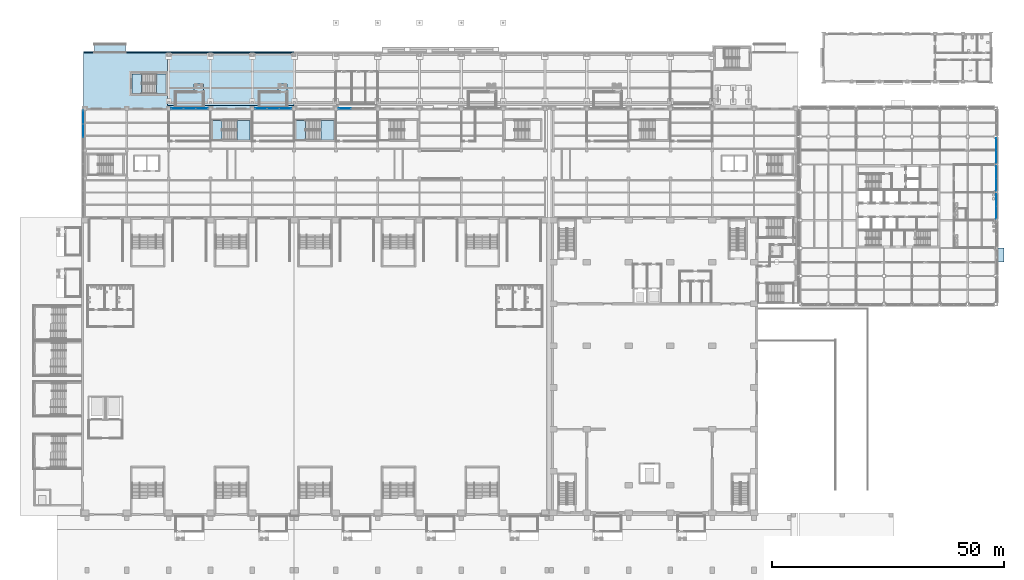
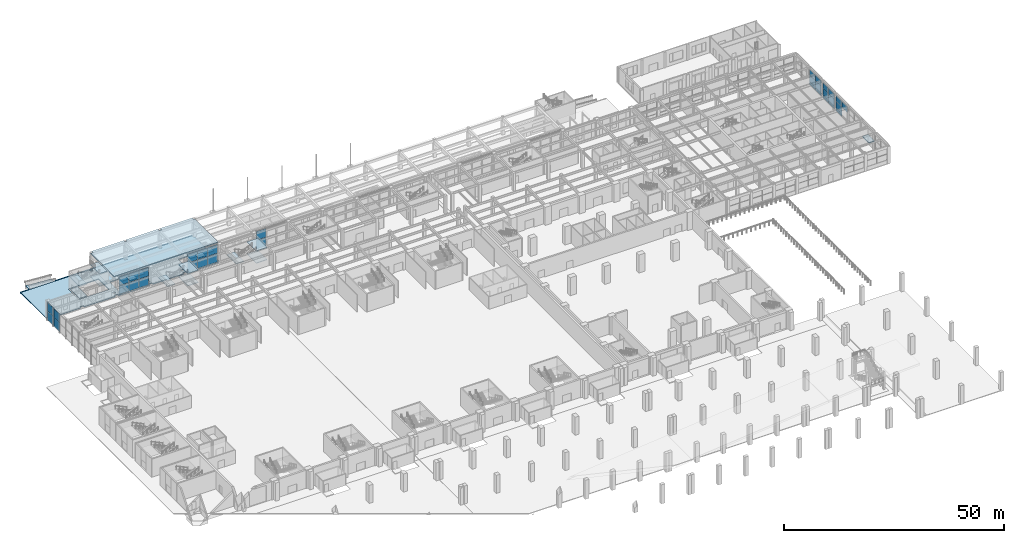
# One storey, part 34 of 77: 34 plates, 20 slabs, 10 elements without a shape of their own.
"""IFC4 building model written with IfcOpenShell, lengths in metres."""

from ifc_helpers import new_model, si_unit, direction, frame, origin, origin_2d, place, context, subcontext, project, spatial, polyline, rectangle, outline, extrude, material, layer, layer_set, type_object, element, aggregate, save


model = new_model("IFC4")

# Units and contexts
model_context = context("Model", 3, precision=1e-05, world=origin(), true_north=direction((0.0, 1.0)))
body_context = subcontext(model_context, "Body", "Model", "MODEL_VIEW")
ifc_project = project(units=[si_unit("LENGTHUNIT", "METRE"), si_unit("AREAUNIT", "SQUARE_METRE"), si_unit("VOLUMEUNIT", "CUBIC_METRE"), si_unit("PLANEANGLEUNIT", "RADIAN"), si_unit("MASSUNIT", "GRAM", prefix="KILO")], contexts=[model_context])

# Site, building, storey
site_placement = place(None, origin())
site = spatial("IfcSite", under=ifc_project, at=site_placement, CompositionType="ELEMENT")
building_placement = place(site_placement, origin())
building = spatial("IfcBuilding", under=site, at=building_placement, Name="Aravalli Gate Trade Fair Centre", CompositionType="ELEMENT")
storey_placement = place(building_placement, origin())
storey = spatial("IfcBuildingStorey", under=building, at=storey_placement, Name="L00", CompositionType="ELEMENT", Elevation=0.0)

# Slabs
ifc_material_1 = material(Name="Concrete M40", Category="concrete")
ifc_layer_1 = layer(ifc_material_1, 0.25)
ifc_layer_set_1 = layer_set([ifc_layer_1], Name="Concrete M40")
slab_type_1 = type_object("IfcSlabType", Name="Arcade terrace slab 250", PredefinedType="FLOOR", material=ifc_layer_set_1)
slab_1_placement = place(storey_placement, frame((0.0, 0.0, 4.75)))
element("IfcSlab", 1, at=slab_1_placement, inside=storey, type_object=slab_type_1, Name="Arcade terrace slab, part 1 of 2", PredefinedType="FLOOR", context=body_context, shape_type="SweptSolid", body=[
    extrude(outline(polyline([(23.699951171875, 133.699951171875), (50.97998046875, 133.699951171875), (50.97998046875, 144.35009765625), (50.699951171875, 144.35009765625), (50.699951171875, 144.949951171875), (42.300048828125, 144.949951171875), (42.300048828125, 144.35009765625), (41.699951171875, 144.35009765625), (41.699951171875, 144.949951171875), (33.300048828125, 144.949951171875), (33.300048828125, 144.35009765625), (32.699951171875, 144.35009765625), (32.699951171875, 144.949951171875), (24.300048828125, 144.949951171875), (24.300048828125, 144.35009765625), (23.699951171875, 144.35009765625), (23.699951171875, 133.699951171875)])), origin(), (0.0, 0.0, 1.0), 0.25),
])
ifc_material_2 = material(Name="Concrete M30", Category="concrete")
ifc_layer_2 = layer(ifc_material_2, 0.199951171875)
ifc_layer_set_2 = layer_set([ifc_layer_2], Name="Concrete M30")
slab_type_2 = type_object("IfcSlabType", Name="Basement exit apron 200", PredefinedType="USERDEFINED", material=ifc_layer_set_2)
slab_2_placement = place(storey_placement, frame((0.0, 0.0, -0.199951171875)))
element("IfcSlab", 2, at=slab_2_placement, inside=storey, type_object=slab_type_2, Name="Basement stair N1 exit apron", ObjectType="PAVING", PredefinedType="USERDEFINED", context=body_context, shape_type="SweptSolid", body=[
    extrude(outline(polyline([(31.449951171875, 136.679931640625), (29.5, 136.679931640625), (29.5, 138.280029296875), (31.449951171875, 138.280029296875), (31.449951171875, 136.679931640625)])), origin(), (0.0, 0.0, 1.0), 0.199951171875),
])
slab_3_placement = place(storey_placement, frame((0.0, 0.0, -0.199951171875)))
element("IfcSlab", 3, at=slab_3_placement, inside=storey, type_object=slab_type_2, Name="Basement stair N2 exit apron", ObjectType="PAVING", PredefinedType="USERDEFINED", context=body_context, shape_type="SweptSolid", body=[
    extrude(outline(polyline([(49.449951171875, 136.679931640625), (47.5, 136.679931640625), (47.5, 138.280029296875), (49.449951171875, 138.280029296875), (49.449951171875, 136.679931640625)])), origin(), (0.0, 0.0, 1.0), 0.199951171875),
])
ifc_material_3 = material(Name="Concrete M35", Category="concrete")
ifc_layer_3 = layer(ifc_material_3, 0.199951171875)
ifc_layer_set_3 = layer_set([ifc_layer_3], Name="Concrete M35")
slab_type_3 = type_object("IfcSlabType", Name="Basement stair head roof 200", PredefinedType="ROOF", material=ifc_layer_set_3)
slab_4_placement = place(storey_placement, frame((0.0, 0.0, 3.199951171875)))
element("IfcSlab", 4, at=slab_4_placement, inside=storey, type_object=slab_type_3, Name="Basement stair N1 head roof", PredefinedType="ROOF", context=body_context, shape_type="SweptSolid", body=[
    extrude(outline(polyline([(31.550048828125, 133.179931640625), (25.449951171875, 133.179931640625), (25.449951171875, 136.679931640625), (31.550048828125, 136.679931640625), (31.550048828125, 133.179931640625)])), origin(), (0.0, 0.0, 1.0), 0.199951171875),
])
slab_5_placement = place(storey_placement, frame((0.0, 0.0, 3.199951171875)))
element("IfcSlab", 5, at=slab_5_placement, inside=storey, type_object=slab_type_3, Name="Basement stair N2 head roof", PredefinedType="ROOF", context=body_context, shape_type="SweptSolid", body=[
    extrude(outline(polyline([(49.550048828125, 133.179931640625), (43.449951171875, 133.179931640625), (43.449951171875, 136.679931640625), (49.550048828125, 136.679931640625), (49.550048828125, 133.179931640625)])), origin(), (0.0, 0.0, 1.0), 0.199951171875),
])

# Stair, slabs
stair_type = type_object("IfcStairType", Name="Concourse stair, 2000 wide", PredefinedType="HALF_TURN_STAIR", material=ifc_material_2)
stair_1_placement = place(storey_placement, origin())
stair_1 = element("IfcStair", 6, at=stair_1_placement, inside=storey, type_object=stair_type, Name="Stair XA L00", PredefinedType="HALF_TURN_STAIR")
ifc_layer_4 = layer(ifc_material_2, 0.199951171875)
ifc_layer_set_4 = layer_set([ifc_layer_4], Name="Concrete M30")
slab_type_4 = type_object("IfcSlabType", Name="Concourse stair landing 200", PredefinedType="LANDING", material=ifc_layer_set_4)
slab_6_placement = place(storey_placement, frame((0.0, 0.0, 1.466796875)))
slab_6 = element("IfcSlab", 7, at=slab_6_placement, type_object=slab_type_4, Name="STXA-L00 landing 1", PredefinedType="LANDING", context=body_context, shape_type="SweptSolid", body=[
    extrude(outline(polyline([(38.75, 126.300048828125), (41.550048828125, 126.300048828125), (41.550048828125, 130.5), (38.75, 130.5), (38.75, 126.300048828125)])), origin(), (0.0, 0.0, 1.0), 0.199951171875),
])
slab_7_placement = place(storey_placement, frame((0.0, 0.0, 3.13330078125)))
slab_7 = element("IfcSlab", 8, at=slab_7_placement, type_object=slab_type_4, Name="STXA-L00 landing 2", PredefinedType="LANDING", context=body_context, shape_type="SweptSolid", body=[
    extrude(outline(polyline([(33.449951171875, 126.300048828125), (35.449951171875, 126.300048828125), (35.449951171875, 130.5), (33.449951171875, 130.5), (33.449951171875, 126.300048828125)])), origin(), (0.0, 0.0, 1.0), 0.199951171875),
])
slab_8_placement = place(storey_placement, frame((0.0, 0.0, 4.800048828125)))
slab_8 = element("IfcSlab", 9, at=slab_8_placement, type_object=slab_type_4, Name="STXA-L00 landing 3", PredefinedType="LANDING", context=body_context, shape_type="SweptSolid", body=[
    extrude(outline(polyline([(38.75, 126.300048828125), (41.550048828125, 126.300048828125), (41.550048828125, 130.5), (38.75, 130.5), (38.75, 126.300048828125)])), origin(), (0.0, 0.0, 1.0), 0.199951171875),
])
aggregate(stair_1, [slab_6, slab_7, slab_8])

stair_2_placement = place(storey_placement, origin())
stair_2 = element("IfcStair", 10, at=stair_2_placement, inside=storey, type_object=stair_type, Name="Stair XB L00", PredefinedType="HALF_TURN_STAIR")
slab_9_placement = place(storey_placement, frame((0.0, 0.0, 1.466796875)))
slab_9 = element("IfcSlab", 11, at=slab_9_placement, type_object=slab_type_4, Name="STXB-L00 landing 1", PredefinedType="LANDING", context=body_context, shape_type="SweptSolid", body=[
    extrude(outline(polyline([(56.75, 126.300048828125), (59.550048828125, 126.300048828125), (59.550048828125, 130.5), (56.75, 130.5), (56.75, 126.300048828125)])), origin(), (0.0, 0.0, 1.0), 0.199951171875),
])
slab_10_placement = place(storey_placement, frame((0.0, 0.0, 3.13330078125)))
slab_10 = element("IfcSlab", 12, at=slab_10_placement, type_object=slab_type_4, Name="STXB-L00 landing 2", PredefinedType="LANDING", context=body_context, shape_type="SweptSolid", body=[
    extrude(outline(polyline([(51.449951171875, 126.300048828125), (53.449951171875, 126.300048828125), (53.449951171875, 130.5), (51.449951171875, 130.5), (51.449951171875, 126.300048828125)])), origin(), (0.0, 0.0, 1.0), 0.199951171875),
])
slab_11_placement = place(storey_placement, frame((0.0, 0.0, 4.800048828125)))
slab_11 = element("IfcSlab", 13, at=slab_11_placement, type_object=slab_type_4, Name="STXB-L00 landing 3", PredefinedType="LANDING", context=body_context, shape_type="SweptSolid", body=[
    extrude(outline(polyline([(56.75, 126.300048828125), (59.550048828125, 126.300048828125), (59.550048828125, 130.5), (56.75, 130.5), (56.75, 126.300048828125)])), origin(), (0.0, 0.0, 1.0), 0.199951171875),
])
aggregate(stair_2, [slab_9, slab_10, slab_11])

stair_3_placement = place(storey_placement, origin())
stair_3 = element("IfcStair", 14, at=stair_3_placement, inside=storey, type_object=stair_type, Name="Stair AS L00", PredefinedType="HALF_TURN_STAIR")
slab_12_placement = place(storey_placement, frame((0.0, 0.0, 1.466796875)))
slab_12 = element("IfcSlab", 15, at=slab_12_placement, type_object=slab_type_4, Name="STAS-L00 landing 1", PredefinedType="LANDING", context=body_context, shape_type="SweptSolid", body=[
    extrude(outline(polyline([(21.39990234375, 136.300048828125), (23.39990234375, 136.300048828125), (23.39990234375, 140.5), (21.39990234375, 140.5), (21.39990234375, 136.300048828125)])), origin(), (0.0, 0.0, 1.0), 0.199951171875),
])
slab_13_placement = place(storey_placement, frame((0.0, 0.0, 3.13330078125)))
slab_13 = element("IfcSlab", 16, at=slab_13_placement, type_object=slab_type_4, Name="STAS-L00 landing 2", PredefinedType="LANDING", context=body_context, shape_type="SweptSolid", body=[
    extrude(outline(polyline([(16.10009765625, 136.300048828125), (18.10009765625, 136.300048828125), (18.10009765625, 140.5), (16.10009765625, 140.5), (16.10009765625, 136.300048828125)])), origin(), (0.0, 0.0, 1.0), 0.199951171875),
])
slab_14_placement = place(storey_placement, frame((0.0, 0.0, 4.800048828125)))
slab_14 = element("IfcSlab", 17, at=slab_14_placement, type_object=slab_type_4, Name="STAS-L00 landing 3", PredefinedType="LANDING", context=body_context, shape_type="SweptSolid", body=[
    extrude(outline(polyline([(21.39990234375, 136.300048828125), (23.39990234375, 136.300048828125), (23.39990234375, 140.5), (21.39990234375, 140.5), (21.39990234375, 136.300048828125)])), origin(), (0.0, 0.0, 1.0), 0.199951171875),
])
slab_15_placement = place(storey_placement, frame((0.0, 0.0, -0.199951171875)))
slab_15 = element("IfcSlab", 18, at=slab_15_placement, type_object=slab_type_4, Name="STAS-L00 landing 4", PredefinedType="LANDING", context=body_context, shape_type="SweptSolid", body=[
    extrude(outline(polyline([(16.10009765625, 136.300048828125), (18.10009765625, 136.300048828125), (18.10009765625, 140.5), (16.10009765625, 140.5), (16.10009765625, 136.300048828125)])), origin(), (0.0, 0.0, 1.0), 0.199951171875),
])
aggregate(stair_3, [slab_12, slab_13, slab_14, slab_15])

# Curtain wall, plates
ifc_material_4 = material(Name="Aluminium and glass", Category="aluminium")
curtain_wall_type_1 = type_object("IfcCurtainWallType", Name="Curtain wall 3000 module, tall", PredefinedType="NOTDEFINED", material=ifc_material_4)
curtain_wall_1_placement = place(storey_placement, origin())
curtain_wall_1 = element("IfcCurtainWall", 19, at=curtain_wall_1_placement, inside=storey, type_object=curtain_wall_type_1, Name="Curtain wall north bay 3 L00", PredefinedType="NOTDEFINED")
ifc_material_5 = material(Name="Glass, double glazed", Category="glass")
ifc_layer_5 = layer(ifc_material_5, 0.028076171875)
ifc_layer_set_5 = layer_set([ifc_layer_5], Name="Glass, double glazed")
plate_type_1 = type_object("IfcPlateType", Name="Curtain wall panel, double glazed 28", PredefinedType="CURTAIN_PANEL", material=ifc_layer_set_5)
plate_1_placement = place(storey_placement, frame((25.881591796875, 133.044921875, 0.06005859375), z_axis=(0.0, 0.0, 1.0), x_axis=(1.0, 0.0, 0.0)))
plate_1 = element("IfcPlate", 20, at=plate_1_placement, type_object=plate_type_1, Name="CW3 panel 1.1", PredefinedType="CURTAIN_PANEL", context=body_context, shape_type="SweptSolid", body=[
    extrude(rectangle(XDim=2.543212890625, YDim=0.028076171875, at=origin_2d()), origin(), (0.0, 0.0, 1.0), 2.409912109375),
])
plate_2_placement = place(storey_placement, frame((25.881591796875, 133.044921875, 2.5302734375), z_axis=(0.0, 0.0, 1.0), x_axis=(1.0, 0.0, 0.0)))
plate_2 = element("IfcPlate", 21, at=plate_2_placement, type_object=plate_type_1, Name="CW3 panel 1.2", PredefinedType="CURTAIN_PANEL", context=body_context, shape_type="SweptSolid", body=[
    extrude(rectangle(XDim=2.543212890625, YDim=0.028076171875, at=origin_2d()), origin(), (0.0, 0.0, 1.0), 2.409912109375),
])
plate_3_placement = place(storey_placement, frame((28.5, 133.044921875, 0.06005859375), z_axis=(0.0, 0.0, 1.0), x_axis=(1.0, 0.0, 0.0)))
plate_3 = element("IfcPlate", 22, at=plate_3_placement, type_object=plate_type_1, Name="CW3 panel 2.1", PredefinedType="CURTAIN_PANEL", context=body_context, shape_type="SweptSolid", body=[
    extrude(rectangle(XDim=2.5732421875, YDim=0.028076171875, at=origin_2d()), origin(), (0.0, 0.0, 1.0), 2.409912109375),
])
plate_4_placement = place(storey_placement, frame((28.5, 133.044921875, 2.5302734375), z_axis=(0.0, 0.0, 1.0), x_axis=(1.0, 0.0, 0.0)))
plate_4 = element("IfcPlate", 23, at=plate_4_placement, type_object=plate_type_1, Name="CW3 panel 2.2", PredefinedType="CURTAIN_PANEL", context=body_context, shape_type="SweptSolid", body=[
    extrude(rectangle(XDim=2.5732421875, YDim=0.028076171875, at=origin_2d()), origin(), (0.0, 0.0, 1.0), 2.409912109375),
])
plate_5_placement = place(storey_placement, frame((31.118408203125, 133.044921875, 0.06005859375), z_axis=(0.0, 0.0, 1.0), x_axis=(1.0, 0.0, 0.0)))
plate_5 = element("IfcPlate", 24, at=plate_5_placement, type_object=plate_type_1, Name="CW3 panel 3.1", PredefinedType="CURTAIN_PANEL", context=body_context, shape_type="SweptSolid", body=[
    extrude(rectangle(XDim=2.543212890625, YDim=0.028076171875, at=origin_2d()), origin(), (0.0, 0.0, 1.0), 2.409912109375),
])
plate_6_placement = place(storey_placement, frame((31.118408203125, 133.044921875, 2.5302734375), z_axis=(0.0, 0.0, 1.0), x_axis=(1.0, 0.0, 0.0)))
plate_6 = element("IfcPlate", 25, at=plate_6_placement, type_object=plate_type_1, Name="CW3 panel 3.2", PredefinedType="CURTAIN_PANEL", context=body_context, shape_type="SweptSolid", body=[
    extrude(rectangle(XDim=2.543212890625, YDim=0.028076171875, at=origin_2d()), origin(), (0.0, 0.0, 1.0), 2.409912109375),
])
aggregate(curtain_wall_1, [plate_1, plate_2, plate_3, plate_4, plate_5, plate_6])

curtain_wall_2_placement = place(storey_placement, origin())
curtain_wall_2 = element("IfcCurtainWall", 26, at=curtain_wall_2_placement, inside=storey, type_object=curtain_wall_type_1, Name="Curtain wall north bay 5 L00", PredefinedType="NOTDEFINED")
plate_7_placement = place(storey_placement, frame((43.881591796875, 133.044921875, 0.06005859375), z_axis=(0.0, 0.0, 1.0), x_axis=(1.0, 0.0, 0.0)))
plate_7 = element("IfcPlate", 27, at=plate_7_placement, type_object=plate_type_1, Name="CW3 panel 1.1", PredefinedType="CURTAIN_PANEL", context=body_context, shape_type="SweptSolid", body=[
    extrude(rectangle(XDim=2.543212890625, YDim=0.028076171875, at=origin_2d()), origin(), (0.0, 0.0, 1.0), 2.409912109375),
])
plate_8_placement = place(storey_placement, frame((43.881591796875, 133.044921875, 2.5302734375), z_axis=(0.0, 0.0, 1.0), x_axis=(1.0, 0.0, 0.0)))
plate_8 = element("IfcPlate", 28, at=plate_8_placement, type_object=plate_type_1, Name="CW3 panel 1.2", PredefinedType="CURTAIN_PANEL", context=body_context, shape_type="SweptSolid", body=[
    extrude(rectangle(XDim=2.543212890625, YDim=0.028076171875, at=origin_2d()), origin(), (0.0, 0.0, 1.0), 2.409912109375),
])
plate_9_placement = place(storey_placement, frame((46.5, 133.044921875, 0.06005859375), z_axis=(0.0, 0.0, 1.0), x_axis=(1.0, 0.0, 0.0)))
plate_9 = element("IfcPlate", 29, at=plate_9_placement, type_object=plate_type_1, Name="CW3 panel 2.1", PredefinedType="CURTAIN_PANEL", context=body_context, shape_type="SweptSolid", body=[
    extrude(rectangle(XDim=2.5732421875, YDim=0.028076171875, at=origin_2d()), origin(), (0.0, 0.0, 1.0), 2.409912109375),
])
plate_10_placement = place(storey_placement, frame((46.5, 133.044921875, 2.5302734375), z_axis=(0.0, 0.0, 1.0), x_axis=(1.0, 0.0, 0.0)))
plate_10 = element("IfcPlate", 30, at=plate_10_placement, type_object=plate_type_1, Name="CW3 panel 2.2", PredefinedType="CURTAIN_PANEL", context=body_context, shape_type="SweptSolid", body=[
    extrude(rectangle(XDim=2.5732421875, YDim=0.028076171875, at=origin_2d()), origin(), (0.0, 0.0, 1.0), 2.409912109375),
])
plate_11_placement = place(storey_placement, frame((49.118408203125, 133.044921875, 0.06005859375), z_axis=(0.0, 0.0, 1.0), x_axis=(1.0, 0.0, 0.0)))
plate_11 = element("IfcPlate", 31, at=plate_11_placement, type_object=plate_type_1, Name="CW3 panel 3.1", PredefinedType="CURTAIN_PANEL", context=body_context, shape_type="SweptSolid", body=[
    extrude(rectangle(XDim=2.543212890625, YDim=0.028076171875, at=origin_2d()), origin(), (0.0, 0.0, 1.0), 2.409912109375),
])
plate_12_placement = place(storey_placement, frame((49.118408203125, 133.044921875, 2.5302734375), z_axis=(0.0, 0.0, 1.0), x_axis=(1.0, 0.0, 0.0)))
plate_12 = element("IfcPlate", 32, at=plate_12_placement, type_object=plate_type_1, Name="CW3 panel 3.2", PredefinedType="CURTAIN_PANEL", context=body_context, shape_type="SweptSolid", body=[
    extrude(rectangle(XDim=2.543212890625, YDim=0.028076171875, at=origin_2d()), origin(), (0.0, 0.0, 1.0), 2.409912109375),
])
aggregate(curtain_wall_2, [plate_7, plate_8, plate_9, plate_10, plate_11, plate_12])

curtain_wall_3_placement = place(storey_placement, origin())
curtain_wall_3 = element("IfcCurtainWall", 33, at=curtain_wall_3_placement, inside=storey, type_object=curtain_wall_type_1, Name="Curtain wall north bay 7 L00", PredefinedType="NOTDEFINED")
plate_13_placement = place(storey_placement, frame((61.881591796875, 133.044921875, 0.06005859375), z_axis=(0.0, 0.0, 1.0), x_axis=(1.0, 0.0, 0.0)))
plate_13 = element("IfcPlate", 34, at=plate_13_placement, type_object=plate_type_1, Name="CW3 panel 1.1", PredefinedType="CURTAIN_PANEL", context=body_context, shape_type="SweptSolid", body=[
    extrude(rectangle(XDim=2.543212890625, YDim=0.028076171875, at=origin_2d()), origin(), (0.0, 0.0, 1.0), 2.409912109375),
])
plate_14_placement = place(storey_placement, frame((61.881591796875, 133.044921875, 2.5302734375), z_axis=(0.0, 0.0, 1.0), x_axis=(1.0, 0.0, 0.0)))
plate_14 = element("IfcPlate", 35, at=plate_14_placement, type_object=plate_type_1, Name="CW3 panel 1.2", PredefinedType="CURTAIN_PANEL", context=body_context, shape_type="SweptSolid", body=[
    extrude(rectangle(XDim=2.543212890625, YDim=0.028076171875, at=origin_2d()), origin(), (0.0, 0.0, 1.0), 2.409912109375),
])
aggregate(curtain_wall_3, [plate_13, plate_14])

curtain_wall_4_placement = place(storey_placement, origin())
curtain_wall_4 = element("IfcCurtainWall", 36, at=curtain_wall_4_placement, inside=storey, type_object=curtain_wall_type_1, Name="Curtain wall west end L00", PredefinedType="NOTDEFINED")
plate_15_placement = place(storey_placement, frame((5.574951171875, 128.28759765625, 0.06005859375), z_axis=(0.0, 0.0, 1.0), x_axis=(0.0, 1.0, 0.0)))
plate_15 = element("IfcPlate", 37, at=plate_15_placement, type_object=plate_type_1, Name="CW3 panel 7.1", PredefinedType="CURTAIN_PANEL", context=body_context, shape_type="SweptSolid", body=[
    extrude(rectangle(XDim=2.81494140625, YDim=0.028076171875, at=origin_2d()), origin(), (0.0, 0.0, 1.0), 2.409912109375),
])
plate_16_placement = place(storey_placement, frame((5.574951171875, 128.28759765625, 2.5302734375), z_axis=(0.0, 0.0, 1.0), x_axis=(0.0, 1.0, 0.0)))
plate_16 = element("IfcPlate", 38, at=plate_16_placement, type_object=plate_type_1, Name="CW3 panel 7.2", PredefinedType="CURTAIN_PANEL", context=body_context, shape_type="SweptSolid", body=[
    extrude(rectangle(XDim=2.81494140625, YDim=0.028076171875, at=origin_2d()), origin(), (0.0, 0.0, 1.0), 2.409912109375),
])
plate_17_placement = place(storey_placement, frame((5.574951171875, 131.1474609375, 0.06005859375), z_axis=(0.0, 0.0, 1.0), x_axis=(0.0, 1.0, 0.0)))
plate_17 = element("IfcPlate", 39, at=plate_17_placement, type_object=plate_type_1, Name="CW3 panel 8.1", PredefinedType="CURTAIN_PANEL", context=body_context, shape_type="SweptSolid", body=[
    extrude(rectangle(XDim=2.784912109375, YDim=0.028076171875, at=origin_2d()), origin(), (0.0, 0.0, 1.0), 2.409912109375),
])
plate_18_placement = place(storey_placement, frame((5.574951171875, 131.1474609375, 2.5302734375), z_axis=(0.0, 0.0, 1.0), x_axis=(0.0, 1.0, 0.0)))
plate_18 = element("IfcPlate", 40, at=plate_18_placement, type_object=plate_type_1, Name="CW3 panel 8.2", PredefinedType="CURTAIN_PANEL", context=body_context, shape_type="SweptSolid", body=[
    extrude(rectangle(XDim=2.784912109375, YDim=0.028076171875, at=origin_2d()), origin(), (0.0, 0.0, 1.0), 2.409912109375),
])
aggregate(curtain_wall_4, [plate_15, plate_16, plate_17, plate_18])

# Slabs
ifc_layer_6 = layer(ifc_material_2, 0.39990234375, Name="Structural slab")
ifc_material_6 = material(Name="Dholpur sandstone paving", Category="masonry")
ifc_layer_7 = layer(ifc_material_6, 0.050048828125, Name="Stone paving")
ifc_layer_set_6 = layer_set([ifc_layer_6, ifc_layer_7], Name="Plaza kerb 300")
slab_type_5 = type_object("IfcSlabType", Name="Plaza kerb 300", PredefinedType="USERDEFINED", material=ifc_layer_set_6)
slab_16_placement = place(storey_placement, frame((0.0, 0.0, -0.449951171875)))
element("IfcSlab", 41, at=slab_16_placement, inside=storey, type_object=slab_type_5, Name="Plaza kerb", ObjectType="PAVING", PredefinedType="USERDEFINED", context=body_context, shape_type="SweptSolid", body=[
    extrude(outline(polyline([(5.699951171875, 145.0), (8.0, 145.0), (8.0, 145.300048828125), (5.699951171875, 145.300048828125), (5.699951171875, 145.0)])), origin(), (0.0, 0.0, 1.0), 0.449951171875),
])
slab_17_placement = place(storey_placement, frame((0.0, 0.0, -0.449951171875)))
element("IfcSlab", 42, at=slab_17_placement, inside=storey, type_object=slab_type_5, Name="Plaza kerb, part 1 of 2", ObjectType="PAVING", PredefinedType="USERDEFINED", context=body_context, shape_type="SweptSolid", body=[
    extrude(outline(polyline([(14.75, 145.0), (50.97998046875, 145.0), (50.97998046875, 145.300048828125), (14.75, 145.300048828125), (14.75, 145.0)])), origin(), (0.0, 0.0, 1.0), 0.449951171875),
])
ifc_layer_8 = layer(ifc_material_2, 0.14990234375, Name="Structural slab")
ifc_layer_9 = layer(ifc_material_6, 0.050048828125, Name="Stone paving")
ifc_layer_set_7 = layer_set([ifc_layer_8, ifc_layer_9], Name="Plaza paving 200")
slab_type_6 = type_object("IfcSlabType", Name="Plaza paving 200", PredefinedType="USERDEFINED", material=ifc_layer_set_7)
slab_18_placement = place(storey_placement, frame((0.0, 0.0, -0.199951171875)))
element("IfcSlab", 43, at=slab_18_placement, inside=storey, type_object=slab_type_6, Name="Plaza paving, part 1 of 2", ObjectType="PAVING", PredefinedType="USERDEFINED", context=body_context, shape_type="SweptSolid", body=[
    extrude(outline(polyline([(50.60009765625, 133.39990234375), (50.97998046875, 133.39990234375), (50.97998046875, 134.0), (50.699951171875, 134.0), (50.699951171875, 134.60009765625), (50.97998046875, 134.60009765625), (50.97998046875, 144.300048828125), (50.64990234375, 144.300048828125), (50.64990234375, 145.0), (42.35009765625, 145.0), (42.35009765625, 144.300048828125), (41.64990234375, 144.300048828125), (41.64990234375, 145.0), (33.35009765625, 145.0), (33.35009765625, 144.300048828125), (32.64990234375, 144.300048828125), (32.64990234375, 145.0), (24.35009765625, 145.0), (24.35009765625, 144.300048828125), (23.64990234375, 144.300048828125), (23.64990234375, 145.0), (5.699951171875, 145.0), (5.699951171875, 133.39990234375), (6.39990234375, 133.39990234375), (6.39990234375, 132.919921875), (14.60009765625, 132.919921875), (14.60009765625, 133.39990234375), (15.39990234375, 133.39990234375), (15.39990234375, 132.919921875), (23.60009765625, 132.919921875), (23.60009765625, 133.39990234375), (24.39990234375, 133.39990234375), (24.39990234375, 132.919921875), (32.60009765625, 132.919921875), (32.60009765625, 133.39990234375), (33.39990234375, 133.39990234375), (33.39990234375, 132.919921875), (41.60009765625, 132.919921875), (41.60009765625, 133.39990234375), (42.39990234375, 133.39990234375), (42.39990234375, 132.919921875), (50.60009765625, 132.919921875), (50.60009765625, 133.39990234375)]), holes=[polyline([(23.699951171875, 134.60009765625), (24.300048828125, 134.60009765625), (24.300048828125, 134.0), (23.699951171875, 134.0), (23.699951171875, 134.60009765625)]), polyline([(33.300048828125, 134.60009765625), (33.300048828125, 134.0), (32.699951171875, 134.0), (32.699951171875, 134.60009765625), (33.300048828125, 134.60009765625)]), polyline([(42.300048828125, 134.60009765625), (42.300048828125, 134.0), (41.699951171875, 134.0), (41.699951171875, 134.60009765625), (42.300048828125, 134.60009765625)]), polyline([(31.64990234375, 133.0), (25.35009765625, 133.0), (25.35009765625, 138.10009765625), (25.35009765625, 138.47998046875), (31.64990234375, 138.47998046875), (31.64990234375, 138.10009765625), (31.64990234375, 133.0)]), polyline([(49.64990234375, 133.0), (43.35009765625, 133.0), (43.35009765625, 138.10009765625), (43.35009765625, 138.47998046875), (49.64990234375, 138.47998046875), (49.64990234375, 138.10009765625), (49.64990234375, 133.0)]), polyline([(15.800048828125, 140.800048828125), (23.699951171875, 140.800048828125), (23.699951171875, 136.0), (15.800048828125, 136.0), (15.800048828125, 140.800048828125)])]), origin(), (0.0, 0.0, 1.0), 0.199951171875),
])
ifc_layer_10 = layer(ifc_material_2, 0.14990234375, Name="Structural slab")
ifc_layer_11 = layer(ifc_material_6, 0.050048828125, Name="Stone paving")
ifc_layer_set_8 = layer_set([ifc_layer_10, ifc_layer_11], Name="Plaza ramp 200")
slab_type_7 = type_object("IfcSlabType", Name="Plaza ramp 200", PredefinedType="USERDEFINED", material=ifc_layer_set_8)
slab_19_placement = place(storey_placement, frame((8.0, 145.199951171875, 0.0), z_axis=(0.066511824681, 0.0, 0.997785636887), x_axis=(0.0, 1.0, 0.0)))
element("IfcSlab", 44, at=slab_19_placement, inside=storey, type_object=slab_type_7, Name="Plaza ramp 1", ObjectType="PAVING", PredefinedType="USERDEFINED", context=body_context, shape_type="SweptSolid", body=[
    extrude(outline(polyline([(0.0, 0.0), (1.60009765625, 0.0), (1.60009765625, -6.764980122444683), (0.0, -6.764980122444683), (0.0, 0.0)])), origin(), (0.0, 0.0, -1.0), 0.199951171875),
])

# Curtain wall, plates
curtain_wall_type_2 = type_object("IfcCurtainWallType", Name="Wing curtain wall", PredefinedType="NOTDEFINED", material=ifc_material_4)
curtain_wall_5_placement = place(storey_placement, origin())
curtain_wall_5 = element("IfcCurtainWall", 45, at=curtain_wall_5_placement, inside=storey, type_object=curtain_wall_type_2, Name="Curtain wall E3 L00", PredefinedType="NOTDEFINED")
ifc_material_7 = material(Name="Glass", Category="glass")
ifc_layer_12 = layer(ifc_material_7, 0.028076171875)
ifc_layer_set_9 = layer_set([ifc_layer_12], Name="Glass")
plate_type_2 = type_object("IfcPlateType", Name="Wing curtain wall glazing panel 28", PredefinedType="CURTAIN_PANEL", material=ifc_layer_set_9)
plate_19_placement = place(storey_placement, frame((202.125, 110.6650390625, 2.72998046875), z_axis=(0.0, 0.0, 1.0), x_axis=(0.0, 1.0, 0.0)))
plate_19 = element("IfcPlate", 46, at=plate_19_placement, type_object=plate_type_2, Name="TCW1 panel 1.3", PredefinedType="CURTAIN_PANEL", context=body_context, shape_type="SweptSolid", body=[
    extrude(rectangle(XDim=2.610107421875, YDim=0.028076171875, at=origin_2d()), origin(), (0.0, 0.0, 1.0), 1.56005859375),
])
plate_20_placement = place(storey_placement, frame((202.125, 113.3349609375, 0.06005859375), z_axis=(0.0, 0.0, 1.0), x_axis=(0.0, 1.0, 0.0)))
plate_20 = element("IfcPlate", 47, at=plate_20_placement, type_object=plate_type_2, Name="TCW1 panel 2.1", PredefinedType="CURTAIN_PANEL", context=body_context, shape_type="SweptSolid", body=[
    extrude(rectangle(XDim=2.610107421875, YDim=0.028076171875, at=origin_2d()), origin(), (0.0, 0.0, 1.0), 0.81005859375),
])
plate_21_placement = place(storey_placement, frame((202.125, 113.3349609375, 0.93017578125), z_axis=(0.0, 0.0, 1.0), x_axis=(0.0, 1.0, 0.0)))
plate_21 = element("IfcPlate", 48, at=plate_21_placement, type_object=plate_type_2, Name="TCW1 panel 2.2", PredefinedType="CURTAIN_PANEL", context=body_context, shape_type="SweptSolid", body=[
    extrude(rectangle(XDim=2.610107421875, YDim=0.028076171875, at=origin_2d()), origin(), (0.0, 0.0, 1.0), 1.739990234375),
])
plate_22_placement = place(storey_placement, frame((202.125, 113.3349609375, 2.72998046875), z_axis=(0.0, 0.0, 1.0), x_axis=(0.0, 1.0, 0.0)))
plate_22 = element("IfcPlate", 49, at=plate_22_placement, type_object=plate_type_2, Name="TCW1 panel 2.3", PredefinedType="CURTAIN_PANEL", context=body_context, shape_type="SweptSolid", body=[
    extrude(rectangle(XDim=2.610107421875, YDim=0.028076171875, at=origin_2d()), origin(), (0.0, 0.0, 1.0), 1.56005859375),
])
aggregate(curtain_wall_5, [plate_19, plate_20, plate_21, plate_22])

curtain_wall_6_placement = place(storey_placement, origin())
curtain_wall_6 = element("IfcCurtainWall", 50, at=curtain_wall_6_placement, inside=storey, type_object=curtain_wall_type_2, Name="Curtain wall E4 L00", PredefinedType="NOTDEFINED")
plate_23_placement = place(storey_placement, frame((202.125, 116.6650390625, 0.06005859375), z_axis=(0.0, 0.0, 1.0), x_axis=(0.0, 1.0, 0.0)))
plate_23 = element("IfcPlate", 51, at=plate_23_placement, type_object=plate_type_2, Name="TCW1 panel 1.1", PredefinedType="CURTAIN_PANEL", context=body_context, shape_type="SweptSolid", body=[
    extrude(rectangle(XDim=2.610107421875, YDim=0.028076171875, at=origin_2d()), origin(), (0.0, 0.0, 1.0), 0.81005859375),
])
plate_24_placement = place(storey_placement, frame((202.125, 116.6650390625, 0.93017578125), z_axis=(0.0, 0.0, 1.0), x_axis=(0.0, 1.0, 0.0)))
plate_24 = element("IfcPlate", 52, at=plate_24_placement, type_object=plate_type_2, Name="TCW1 panel 1.2", PredefinedType="CURTAIN_PANEL", context=body_context, shape_type="SweptSolid", body=[
    extrude(rectangle(XDim=2.610107421875, YDim=0.028076171875, at=origin_2d()), origin(), (0.0, 0.0, 1.0), 1.739990234375),
])
plate_25_placement = place(storey_placement, frame((202.125, 116.6650390625, 2.72998046875), z_axis=(0.0, 0.0, 1.0), x_axis=(0.0, 1.0, 0.0)))
plate_25 = element("IfcPlate", 53, at=plate_25_placement, type_object=plate_type_2, Name="TCW1 panel 1.3", PredefinedType="CURTAIN_PANEL", context=body_context, shape_type="SweptSolid", body=[
    extrude(rectangle(XDim=2.610107421875, YDim=0.028076171875, at=origin_2d()), origin(), (0.0, 0.0, 1.0), 1.56005859375),
])
plate_26_placement = place(storey_placement, frame((202.125, 119.3349609375, 0.06005859375), z_axis=(0.0, 0.0, 1.0), x_axis=(0.0, 1.0, 0.0)))
plate_26 = element("IfcPlate", 54, at=plate_26_placement, type_object=plate_type_2, Name="TCW1 panel 2.1", PredefinedType="CURTAIN_PANEL", context=body_context, shape_type="SweptSolid", body=[
    extrude(rectangle(XDim=2.610107421875, YDim=0.028076171875, at=origin_2d()), origin(), (0.0, 0.0, 1.0), 0.81005859375),
])
plate_27_placement = place(storey_placement, frame((202.125, 119.3349609375, 0.93017578125), z_axis=(0.0, 0.0, 1.0), x_axis=(0.0, 1.0, 0.0)))
plate_27 = element("IfcPlate", 55, at=plate_27_placement, type_object=plate_type_2, Name="TCW1 panel 2.2", PredefinedType="CURTAIN_PANEL", context=body_context, shape_type="SweptSolid", body=[
    extrude(rectangle(XDim=2.610107421875, YDim=0.028076171875, at=origin_2d()), origin(), (0.0, 0.0, 1.0), 1.739990234375),
])
plate_28_placement = place(storey_placement, frame((202.125, 119.3349609375, 2.72998046875), z_axis=(0.0, 0.0, 1.0), x_axis=(0.0, 1.0, 0.0)))
plate_28 = element("IfcPlate", 56, at=plate_28_placement, type_object=plate_type_2, Name="TCW1 panel 2.3", PredefinedType="CURTAIN_PANEL", context=body_context, shape_type="SweptSolid", body=[
    extrude(rectangle(XDim=2.610107421875, YDim=0.028076171875, at=origin_2d()), origin(), (0.0, 0.0, 1.0), 1.56005859375),
])
aggregate(curtain_wall_6, [plate_23, plate_24, plate_25, plate_26, plate_27, plate_28])

curtain_wall_7_placement = place(storey_placement, origin())
curtain_wall_7 = element("IfcCurtainWall", 57, at=curtain_wall_7_placement, inside=storey, type_object=curtain_wall_type_2, Name="Curtain wall E5 L00", PredefinedType="NOTDEFINED")
plate_29_placement = place(storey_placement, frame((202.125, 122.6650390625, 0.06005859375), z_axis=(0.0, 0.0, 1.0), x_axis=(0.0, 1.0, 0.0)))
plate_29 = element("IfcPlate", 58, at=plate_29_placement, type_object=plate_type_2, Name="TCW1 panel 1.1", PredefinedType="CURTAIN_PANEL", context=body_context, shape_type="SweptSolid", body=[
    extrude(rectangle(XDim=2.610107421875, YDim=0.028076171875, at=origin_2d()), origin(), (0.0, 0.0, 1.0), 0.81005859375),
])
plate_30_placement = place(storey_placement, frame((202.125, 122.6650390625, 0.93017578125), z_axis=(0.0, 0.0, 1.0), x_axis=(0.0, 1.0, 0.0)))
plate_30 = element("IfcPlate", 59, at=plate_30_placement, type_object=plate_type_2, Name="TCW1 panel 1.2", PredefinedType="CURTAIN_PANEL", context=body_context, shape_type="SweptSolid", body=[
    extrude(rectangle(XDim=2.610107421875, YDim=0.028076171875, at=origin_2d()), origin(), (0.0, 0.0, 1.0), 1.739990234375),
])
plate_31_placement = place(storey_placement, frame((202.125, 122.6650390625, 2.72998046875), z_axis=(0.0, 0.0, 1.0), x_axis=(0.0, 1.0, 0.0)))
plate_31 = element("IfcPlate", 60, at=plate_31_placement, type_object=plate_type_2, Name="TCW1 panel 1.3", PredefinedType="CURTAIN_PANEL", context=body_context, shape_type="SweptSolid", body=[
    extrude(rectangle(XDim=2.610107421875, YDim=0.028076171875, at=origin_2d()), origin(), (0.0, 0.0, 1.0), 1.56005859375),
])
plate_32_placement = place(storey_placement, frame((202.125, 125.3349609375, 0.06005859375), z_axis=(0.0, 0.0, 1.0), x_axis=(0.0, 1.0, 0.0)))
plate_32 = element("IfcPlate", 61, at=plate_32_placement, type_object=plate_type_2, Name="TCW1 panel 2.1", PredefinedType="CURTAIN_PANEL", context=body_context, shape_type="SweptSolid", body=[
    extrude(rectangle(XDim=2.610107421875, YDim=0.028076171875, at=origin_2d()), origin(), (0.0, 0.0, 1.0), 0.81005859375),
])
plate_33_placement = place(storey_placement, frame((202.125, 125.3349609375, 0.93017578125), z_axis=(0.0, 0.0, 1.0), x_axis=(0.0, 1.0, 0.0)))
plate_33 = element("IfcPlate", 62, at=plate_33_placement, type_object=plate_type_2, Name="TCW1 panel 2.2", PredefinedType="CURTAIN_PANEL", context=body_context, shape_type="SweptSolid", body=[
    extrude(rectangle(XDim=2.610107421875, YDim=0.028076171875, at=origin_2d()), origin(), (0.0, 0.0, 1.0), 1.739990234375),
])
plate_34_placement = place(storey_placement, frame((202.125, 125.3349609375, 2.72998046875), z_axis=(0.0, 0.0, 1.0), x_axis=(0.0, 1.0, 0.0)))
plate_34 = element("IfcPlate", 63, at=plate_34_placement, type_object=plate_type_2, Name="TCW1 panel 2.3", PredefinedType="CURTAIN_PANEL", context=body_context, shape_type="SweptSolid", body=[
    extrude(rectangle(XDim=2.610107421875, YDim=0.028076171875, at=origin_2d()), origin(), (0.0, 0.0, 1.0), 1.56005859375),
])
aggregate(curtain_wall_7, [plate_29, plate_30, plate_31, plate_32, plate_33, plate_34])

# Slab
ifc_layer_13 = layer(ifc_material_2, 0.199951171875)
ifc_layer_set_10 = layer_set([ifc_layer_13], Name="Concrete M30")
slab_type_8 = type_object("IfcSlabType", Name="Wing entrance paving 200", PredefinedType="USERDEFINED", material=ifc_layer_set_10)
slab_20_placement = place(storey_placement, frame((0.0, 0.0, -0.199951171875)))
element("IfcSlab", 64, at=slab_20_placement, inside=storey, type_object=slab_type_8, Name="Entrance paving T-L00-183", ObjectType="PAVING", PredefinedType="USERDEFINED", context=body_context, shape_type="SweptSolid", body=[
    extrude(outline(polyline([(202.304931640625, 100.0), (203.804931640625, 100.0), (203.804931640625, 103.0), (202.304931640625, 103.0), (202.304931640625, 100.0)])), origin(), (0.0, 0.0, 1.0), 0.199951171875),
])

save(model, "model.ifc")
